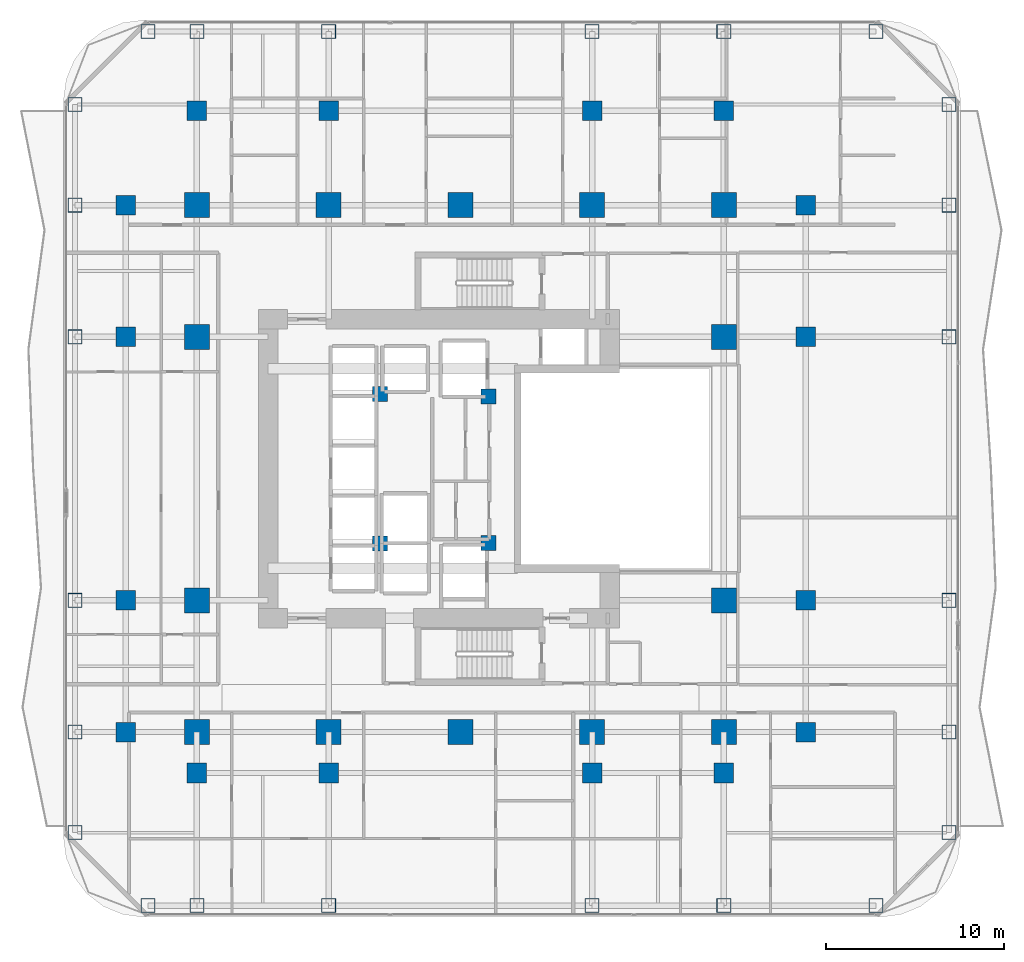
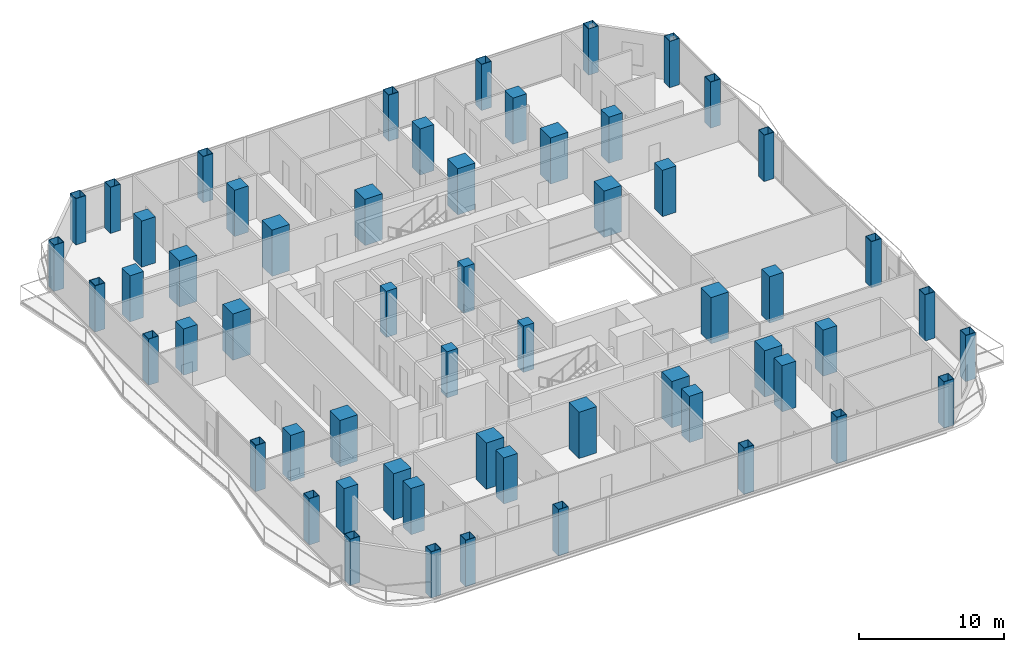
# One storey, part 1 of 27: 58 columns.
"""IFC4 building model written with IfcOpenShell, lengths in metres."""

from ifc_helpers import new_model, si_unit, direction, frame, origin, origin_2d, place, context, subcontext, project, spatial, rectangle, hollow_rectangle, extrude, material, material_profile, profile_set, type_object, element, save


model = new_model("IFC4")

# Units and contexts
model_context = context("Model", 3, precision=1e-05, world=origin(), true_north=direction((0.0, 1.0)))
body_context = subcontext(model_context, "Body", "Model", "MODEL_VIEW")
ifc_project = project(units=[si_unit("LENGTHUNIT", "METRE"), si_unit("AREAUNIT", "SQUARE_METRE"), si_unit("VOLUMEUNIT", "CUBIC_METRE"), si_unit("PLANEANGLEUNIT", "RADIAN"), si_unit("MASSUNIT", "GRAM", prefix="KILO")], contexts=[model_context])

# Site, building, storey
site_placement = place(None, origin())
site = spatial("IfcSite", under=ifc_project, at=site_placement, CompositionType="ELEMENT")
building_placement = place(site_placement, origin())
building = spatial("IfcBuilding", under=site, at=building_placement, Name="Khorvyn Point Tower", CompositionType="ELEMENT")
storey_placement = place(building_placement, frame((0.0, 0.0, 46.199951171875)))
storey = spatial("IfcBuildingStorey", under=building, at=storey_placement, Name="L12", CompositionType="ELEMENT", Elevation=46.199951171875)

# Columns
ifc_material_1 = material(Name="Concrete C40/50", Category="concrete")
ifc_material_profile_1 = material_profile(ifc_material_1, rectangle(XDim=0.85009765625, YDim=0.85009765625, at=origin_2d()))
ifc_profile_set_1 = profile_set([ifc_material_profile_1], Name="Concrete C40/50 RC850x850")
column_type_1 = type_object("IfcColumnType", Name="Concrete C40/50 Column RC850x850", PredefinedType="COLUMN", material=ifc_profile_set_1)
for number, where, z_axis, x_axis, name in (
    (1, (-4.52001953125, -4.199951171875, 0.0), (0.0, 0.0, 1.0), (1.0, 0.0, 0.0), "L12 Crown Core Spine Column 1"),
    (2, (1.580078125, -4.179931640625, 0.0), (0.0, 0.0, 1.0), (1.0, 0.0, 0.0), "L12 Crown Core Spine Column 2"),
    (3, (1.580078125, 4.050048828125, 0.0), (0.0, 0.0, 1.0), (1.0, 0.0, 0.0), "L12 Crown Core Spine Column 3"),
    (4, (-4.52001953125, 4.199951171875, 0.0), (0.0, 0.0, 1.0), (1.0, 0.0, 0.0), "L12 Crown Core Spine Column 4"),
):
    element("IfcColumn", number, at=place(storey_placement, frame(where, z_axis=z_axis, x_axis=x_axis)), inside=storey, type_object=column_type_1, Name=name, PredefinedType="COLUMN", context=body_context, shape_type="SweptSolid", body=[
        extrude(rectangle(XDim=0.85009765625, YDim=0.85009765625, at=origin_2d()), origin(), (0.0, 0.0, 1.0), 3.900146484375),
    ])
ifc_material_2 = material(Name="Concrete C45/55", Category="concrete")
ifc_material_profile_2 = material_profile(ifc_material_2, rectangle(XDim=1.10009765625, YDim=1.10009765625, at=origin_2d()))
ifc_profile_set_2 = profile_set([ifc_material_profile_2], Name="Concrete C45/55 RC1100x1100")
column_type_2 = type_object("IfcColumnType", Name="Concrete C45/55 Column RC1100x1100", PredefinedType="COLUMN", material=ifc_profile_set_2)
for number, where, z_axis, x_axis, name in (
    (5, (-18.800048828125, -14.800048828125, 0.0), (0.0, 0.0, 1.0), (1.0, 0.0, 0.0), "L12 Intermediate Column ICW--14"),
    (6, (-18.800048828125, -7.39990234375, 0.0), (0.0, 0.0, 1.0), (1.0, 0.0, 0.0), "L12 Intermediate Column ICW--7"),
    (7, (-18.800048828125, 7.39990234375, 0.0), (0.0, 0.0, 1.0), (1.0, 0.0, 0.0), "L12 Intermediate Column ICW-7"),
    (8, (-18.800048828125, 14.800048828125, 0.0), (0.0, 0.0, 1.0), (1.0, 0.0, 0.0), "L12 Intermediate Column ICW-14"),
    (9, (19.39990234375, -14.800048828125, 0.0), (0.0, 0.0, 1.0), (1.0, 0.0, 0.0), "L12 Intermediate Column ICE--14"),
    (10, (19.39990234375, -7.39990234375, 0.0), (0.0, 0.0, 1.0), (1.0, 0.0, 0.0), "L12 Intermediate Column ICE--7"),
    (11, (19.39990234375, 7.39990234375, 0.0), (0.0, 0.0, 1.0), (1.0, 0.0, 0.0), "L12 Intermediate Column ICE-7"),
    (12, (19.39990234375, 14.800048828125, 0.0), (0.0, 0.0, 1.0), (1.0, 0.0, 0.0), "L12 Intermediate Column ICE-14"),
    (13, (-14.800048828125, -17.10009765625, 0.0), (0.0, 0.0, 1.0), (1.0, 0.0, 0.0), "L12 Intermediate Column ICS--14"),
    (14, (-7.39990234375, -17.10009765625, 0.0), (0.0, 0.0, 1.0), (1.0, 0.0, 0.0), "L12 Intermediate Column ICS--7"),
    (15, (7.39990234375, -17.10009765625, 0.0), (0.0, 0.0, 1.0), (1.0, 0.0, 0.0), "L12 Intermediate Column ICS-7"),
    (16, (14.800048828125, -17.10009765625, 0.0), (0.0, 0.0, 1.0), (1.0, 0.0, 0.0), "L12 Intermediate Column ICS-14"),
    (17, (-14.800048828125, 20.10009765625, 0.0), (0.0, 0.0, 1.0), (1.0, 0.0, 0.0), "L12 Intermediate Column ICN--14"),
    (18, (-7.39990234375, 20.10009765625, 0.0), (0.0, 0.0, 1.0), (1.0, 0.0, 0.0), "L12 Intermediate Column ICN--7"),
    (19, (7.39990234375, 20.10009765625, 0.0), (0.0, 0.0, 1.0), (1.0, 0.0, 0.0), "L12 Intermediate Column ICN-7"),
    (20, (14.800048828125, 20.10009765625, 0.0), (0.0, 0.0, 1.0), (1.0, 0.0, 0.0), "L12 Intermediate Column ICN-14"),
):
    element("IfcColumn", number, at=place(storey_placement, frame(where, z_axis=z_axis, x_axis=x_axis)), inside=storey, type_object=column_type_2, Name=name, PredefinedType="COLUMN", context=body_context, shape_type="SweptSolid", body=[
        extrude(rectangle(XDim=1.10009765625, YDim=1.10009765625, at=origin_2d()), origin(), (0.0, 0.0, 1.0), 3.900146484375),
    ])
ifc_material_3 = material(Name="Concrete C50/60", Category="concrete")
ifc_material_profile_3 = material_profile(ifc_material_3, rectangle(XDim=1.39990234375, YDim=1.39990234375, at=origin_2d()))
ifc_profile_set_3 = profile_set([ifc_material_profile_3], Name="Concrete C50/60 RC1400x1400")
column_type_3 = type_object("IfcColumnType", Name="Concrete C50/60 Column RC1400x1400", PredefinedType="COLUMN", material=ifc_profile_set_3)
for number, where, z_axis, x_axis, name in (
    (21, (-14.800048828125, -14.800048828125, 0.0), (0.0, 0.0, 1.0), (1.0, 0.0, 0.0), "L12 Mega-Column MC-01"),
    (22, (-7.39990234375, -14.800048828125, 0.0), (0.0, 0.0, 1.0), (1.0, 0.0, 0.0), "L12 Mega-Column MC-02"),
    (23, (0.0, -14.800048828125, 0.0), (0.0, 0.0, 1.0), (1.0, 0.0, 0.0), "L12 Mega-Column MC-03"),
    (24, (7.39990234375, -14.800048828125, 0.0), (0.0, 0.0, 1.0), (1.0, 0.0, 0.0), "L12 Mega-Column MC-04"),
    (25, (14.800048828125, -14.800048828125, 0.0), (0.0, 0.0, 1.0), (1.0, 0.0, 0.0), "L12 Mega-Column MC-05"),
    (26, (-14.800048828125, 14.800048828125, 0.0), (0.0, 0.0, 1.0), (1.0, 0.0, 0.0), "L12 Mega-Column MC-06"),
    (27, (-7.39990234375, 14.800048828125, 0.0), (0.0, 0.0, 1.0), (1.0, 0.0, 0.0), "L12 Mega-Column MC-07"),
    (28, (0.0, 14.800048828125, 0.0), (0.0, 0.0, 1.0), (1.0, 0.0, 0.0), "L12 Mega-Column MC-08"),
    (29, (7.39990234375, 14.800048828125, 0.0), (0.0, 0.0, 1.0), (1.0, 0.0, 0.0), "L12 Mega-Column MC-09"),
    (30, (14.800048828125, 14.800048828125, 0.0), (0.0, 0.0, 1.0), (1.0, 0.0, 0.0), "L12 Mega-Column MC-10"),
    (31, (-14.800048828125, -7.39990234375, 0.0), (0.0, 0.0, 1.0), (1.0, 0.0, 0.0), "L12 Mega-Column MC-11"),
    (32, (-14.800048828125, 7.39990234375, 0.0), (0.0, 0.0, 1.0), (1.0, 0.0, 0.0), "L12 Mega-Column MC-12"),
    (33, (14.800048828125, -7.39990234375, 0.0), (0.0, 0.0, 1.0), (1.0, 0.0, 0.0), "L12 Mega-Column MC-13"),
    (34, (14.800048828125, 7.39990234375, 0.0), (0.0, 0.0, 1.0), (1.0, 0.0, 0.0), "L12 Mega-Column MC-14"),
):
    element("IfcColumn", number, at=place(storey_placement, frame(where, z_axis=z_axis, x_axis=x_axis)), inside=storey, type_object=column_type_3, Name=name, PredefinedType="COLUMN", context=body_context, shape_type="SweptSolid", body=[
        extrude(rectangle(XDim=1.39990234375, YDim=1.39990234375, at=origin_2d()), origin(), (0.0, 0.0, 1.0), 3.900146484375),
    ])
ifc_material_4 = material(Name="Steel S450", Category="steel")
ifc_material_profile_4 = material_profile(ifc_material_4, hollow_rectangle(XDim=0.800048828125, YDim=0.800048828125, WallThickness=0.035888671875, at=origin_2d()))
ifc_profile_set_4 = profile_set([ifc_material_profile_4], Name="Steel S450 BOX800x800x36")
column_type_4 = type_object("IfcColumnType", Name="Steel S450 Structural Column BOX800x800x36", PredefinedType="COLUMN", material=ifc_profile_set_4)
for number, where, z_axis, x_axis, name in (
    (35, (-17.550048828125, -24.550048828125, 0.0), (0.0, 0.0, 1.0), (1.0, 0.0, 0.0), "L12 Perimeter Tube Column TC-01"),
    (36, (23.35009765625, -24.550048828125, 0.0), (0.0, 0.0, 1.0), (1.0, 0.0, 0.0), "L12 Perimeter Tube Column TC-02"),
    (37, (-17.550048828125, 24.550048828125, 0.0), (0.0, 0.0, 1.0), (1.0, 0.0, 0.0), "L12 Perimeter Tube Column TC-03"),
    (38, (23.35009765625, 24.550048828125, 0.0), (0.0, 0.0, 1.0), (1.0, 0.0, 0.0), "L12 Perimeter Tube Column TC-04"),
    (39, (-21.64990234375, -20.449951171875, 0.0), (0.0, 0.0, 1.0), (1.0, 0.0, 0.0), "L12 Perimeter Tube Column TC-05"),
    (40, (-21.64990234375, 20.449951171875, 0.0), (0.0, 0.0, 1.0), (1.0, 0.0, 0.0), "L12 Perimeter Tube Column TC-06"),
    (41, (27.449951171875, -20.449951171875, 0.0), (0.0, 0.0, 1.0), (1.0, 0.0, 0.0), "L12 Perimeter Tube Column TC-07"),
    (42, (27.449951171875, 20.449951171875, 0.0), (0.0, 0.0, 1.0), (1.0, 0.0, 0.0), "L12 Perimeter Tube Column TC-08"),
    (43, (-14.800048828125, -24.550048828125, 0.0), (0.0, 0.0, 1.0), (1.0, 0.0, 0.0), "L12 Perimeter Tube Column TC-09"),
    (44, (-14.800048828125, 24.550048828125, 0.0), (0.0, 0.0, 1.0), (1.0, 0.0, 0.0), "L12 Perimeter Tube Column TC-10"),
    (45, (-7.39990234375, -24.550048828125, 0.0), (0.0, 0.0, 1.0), (1.0, 0.0, 0.0), "L12 Perimeter Tube Column TC-11"),
    (46, (-7.39990234375, 24.550048828125, 0.0), (0.0, 0.0, 1.0), (1.0, 0.0, 0.0), "L12 Perimeter Tube Column TC-12"),
    (47, (7.39990234375, -24.550048828125, 0.0), (0.0, 0.0, 1.0), (1.0, 0.0, 0.0), "L12 Perimeter Tube Column TC-13"),
    (48, (7.39990234375, 24.550048828125, 0.0), (0.0, 0.0, 1.0), (1.0, 0.0, 0.0), "L12 Perimeter Tube Column TC-14"),
    (49, (14.800048828125, -24.550048828125, 0.0), (0.0, 0.0, 1.0), (1.0, 0.0, 0.0), "L12 Perimeter Tube Column TC-15"),
    (50, (14.800048828125, 24.550048828125, 0.0), (0.0, 0.0, 1.0), (1.0, 0.0, 0.0), "L12 Perimeter Tube Column TC-16"),
    (51, (-21.64990234375, -14.800048828125, 0.0), (0.0, 0.0, 1.0), (1.0, 0.0, 0.0), "L12 Perimeter Tube Column TC-17"),
    (52, (27.449951171875, -14.800048828125, 0.0), (0.0, 0.0, 1.0), (1.0, 0.0, 0.0), "L12 Perimeter Tube Column TC-18"),
    (53, (-21.64990234375, -7.39990234375, 0.0), (0.0, 0.0, 1.0), (1.0, 0.0, 0.0), "L12 Perimeter Tube Column TC-19"),
    (54, (27.449951171875, -7.39990234375, 0.0), (0.0, 0.0, 1.0), (1.0, 0.0, 0.0), "L12 Perimeter Tube Column TC-20"),
    (55, (-21.64990234375, 7.39990234375, 0.0), (0.0, 0.0, 1.0), (1.0, 0.0, 0.0), "L12 Perimeter Tube Column TC-21"),
    (56, (27.449951171875, 7.39990234375, 0.0), (0.0, 0.0, 1.0), (1.0, 0.0, 0.0), "L12 Perimeter Tube Column TC-22"),
    (57, (-21.64990234375, 14.800048828125, 0.0), (0.0, 0.0, 1.0), (1.0, 0.0, 0.0), "L12 Perimeter Tube Column TC-23"),
    (58, (27.449951171875, 14.800048828125, 0.0), (0.0, 0.0, 1.0), (1.0, 0.0, 0.0), "L12 Perimeter Tube Column TC-24"),
):
    element("IfcColumn", number, at=place(storey_placement, frame(where, z_axis=z_axis, x_axis=x_axis)), inside=storey, type_object=column_type_4, Name=name, PredefinedType="COLUMN", context=body_context, shape_type="SweptSolid", body=[
        extrude(hollow_rectangle(XDim=0.800048828125, YDim=0.800048828125, WallThickness=0.035888671875, at=origin_2d()), origin(), (0.0, 0.0, 1.0), 3.900146484375),
    ])

save(model, "model.ifc")
